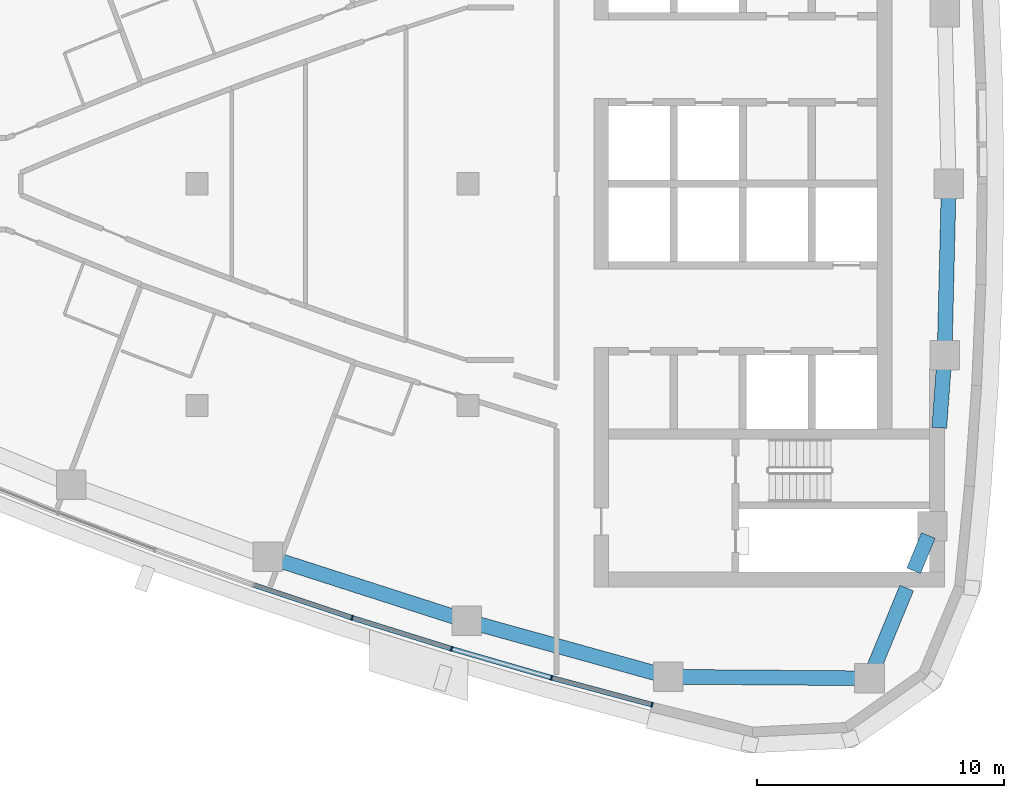
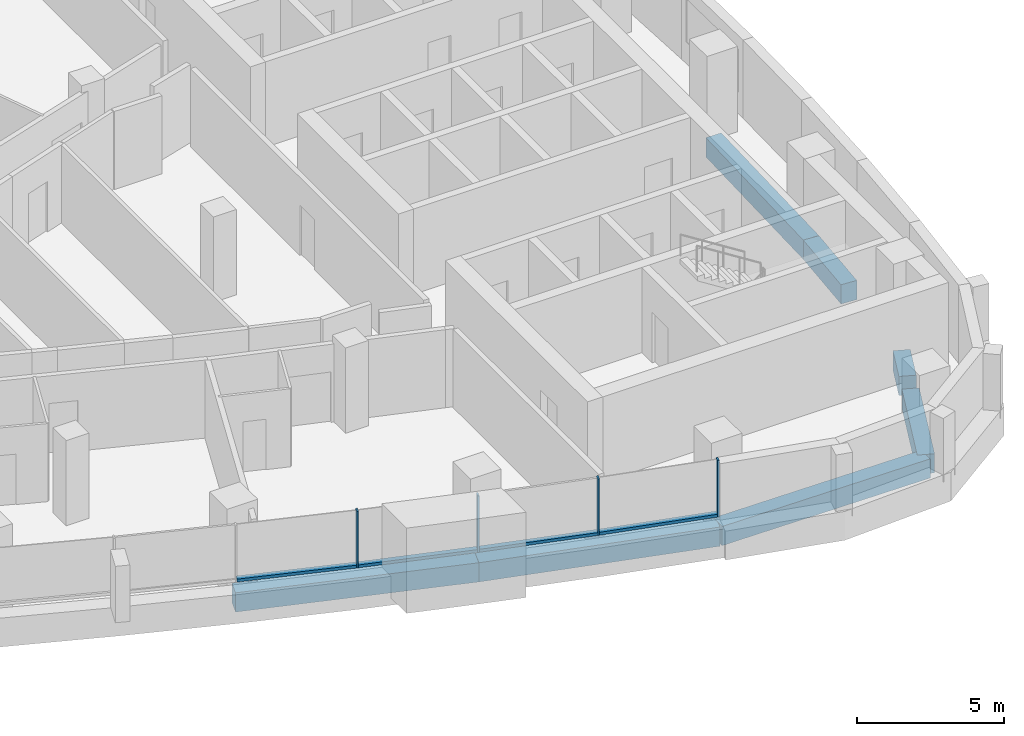
# One storey, part 4 of 15: 8 members, 7 beams, 2 elements without a shape of their own.
"""IFC4 building model written with IfcOpenShell, lengths in metres."""

from ifc_helpers import new_model, si_unit, direction, frame, origin, origin_2d, place, context, subcontext, project, spatial, rectangle, extrude, material, layer, layer_set, material_profile, profile_set, type_object, element, aggregate, save


model = new_model("IFC4")

# Units and contexts
model_context = context("Model", 3, precision=1e-05, world=origin(), true_north=direction((0.0, 1.0)))
body_context = subcontext(model_context, "Body", "Model", "MODEL_VIEW")
ifc_project = project(units=[si_unit("LENGTHUNIT", "METRE"), si_unit("AREAUNIT", "SQUARE_METRE"), si_unit("VOLUMEUNIT", "CUBIC_METRE"), si_unit("PLANEANGLEUNIT", "RADIAN"), si_unit("MASSUNIT", "GRAM", prefix="KILO")], contexts=[model_context])

# Site, building, storey
site_placement = place(None, origin())
site = spatial("IfcSite", under=ifc_project, at=site_placement, CompositionType="ELEMENT")
building_placement = place(site_placement, origin())
building = spatial("IfcBuilding", under=site, at=building_placement, Name="Ostrand Prow Hotel Tower", CompositionType="ELEMENT")
storey_placement = place(building_placement, frame((0.0, 0.0, 238.550048828125)))
storey = spatial("IfcBuildingStorey", under=building, at=storey_placement, Name="L60", CompositionType="ELEMENT", Elevation=238.550048828125)

# Beams
ifc_material_1 = material(Name="Concrete C50/60", Category="concrete")
ifc_material_profile_1 = material_profile(ifc_material_1, rectangle(XDim=0.60009765625, YDim=0.800048828125, at=origin_2d()), Name="RC 600x800")
ifc_profile_set_1 = profile_set([ifc_material_profile_1], Name="Concrete C50/60")
beam_type = type_object("IfcBeamType", Name="Edge beam 600x800 C50/60", PredefinedType="SPANDREL", material=ifc_profile_set_1)
for number, where, z_axis, x_axis, name in (
    (1, (36.8671875, -15.131591796875, -0.699951171875), (0.95193933362, -0.306286638798, 0.0), (0.306286638798, 0.95193933362, 0.0), "Edge beam S4-S5"),
    (2, (44.94677734375, -17.731201171875, -0.699951171875), (0.963625802813, -0.267255144297, 0.0), (0.267255144297, 0.963625802813, 0.0), "Edge beam S5-S6"),
):
    element("IfcBeam", number, at=place(storey_placement, frame(where, z_axis=z_axis, x_axis=x_axis)), inside=storey, type_object=beam_type, Name=name, PredefinedType="SPANDREL", context=body_context, shape_type="SweptSolid", body=[
        extrude(rectangle(XDim=0.60009765625, YDim=0.800048828125, at=origin_2d()), origin(), (0.0, 0.0, 1.0), 8.487548828125),
    ])
beam_1_placement = place(storey_placement, frame((53.12548828125, -19.99951171875, -0.699951171875), z_axis=(0.999970657582, -0.007660546678, 0.0), x_axis=(0.007660546678, 0.999970657582, 0.0)))
element("IfcBeam", 3, at=beam_1_placement, inside=storey, type_object=beam_type, Name="Edge beam S6-SE", PredefinedType="SPANDREL", context=body_context, shape_type="SweptSolid", body=[
    extrude(rectangle(XDim=0.60009765625, YDim=0.800048828125, at=origin_2d()), origin(), (0.0, 0.0, 1.0), 8.15869140625),
])
beam_2_placement = place(storey_placement, frame((61.283935546875, -20.06201171875, -0.699951171875), z_axis=(0.380777709221, 0.924666608114, 0.0), x_axis=(-0.924666608114, 0.380777709221, 0.0)))
element("IfcBeam", 4, at=beam_2_placement, inside=storey, type_object=beam_type, Name="Edge beam SE-B1", PredefinedType="SPANDREL", context=body_context, shape_type="SweptSolid", body=[
    extrude(rectangle(XDim=0.60009765625, YDim=0.800048828125, at=origin_2d()), origin(), (0.0, 0.0, 1.0), 3.96044921875),
])
beam_3_placement = place(storey_placement, frame((63.080078125, -15.699951171875, -0.699951171875), z_axis=(0.380773585759, 0.924668306145, 0.0), x_axis=(-0.924668306145, 0.380773585759, 0.0)))
element("IfcBeam", 5, at=beam_3_placement, inside=storey, type_object=beam_type, Name="Edge beam SE-B1", PredefinedType="SPANDREL", context=body_context, shape_type="SweptSolid", body=[
    extrude(rectangle(XDim=0.60009765625, YDim=0.800048828125, at=origin_2d()), origin(), (0.0, 0.0, 1.0), 1.549072265625),
])
beam_4_placement = place(storey_placement, frame((64.11669921875, -9.89990234375, -0.699951171875), z_axis=(0.072691068771, 0.997354504938, 0.0), x_axis=(-0.997354504938, 0.072691068771, 0.0)))
element("IfcBeam", 6, at=beam_4_placement, inside=storey, type_object=beam_type, Name="Edge beam B1-B2", PredefinedType="SPANDREL", context=body_context, shape_type="SweptSolid", body=[
    extrude(rectangle(XDim=0.60009765625, YDim=0.800048828125, at=origin_2d()), origin(), (0.0, 0.0, 1.0), 2.95556640625),
])
beam_5_placement = place(storey_placement, frame((64.33154296875, -6.9521484375, -0.699951171875), z_axis=(0.024223820991, 0.999706560195, 0.0), x_axis=(-0.999706560195, 0.024223820991, 0.0)))
element("IfcBeam", 7, at=beam_5_placement, inside=storey, type_object=beam_type, Name="Edge beam B2-B3", PredefinedType="SPANDREL", context=body_context, shape_type="SweptSolid", body=[
    extrude(rectangle(XDim=0.60009765625, YDim=0.800048828125, at=origin_2d()), origin(), (0.0, 0.0, 1.0), 6.9541015625),
])

# Curtain wall, members
ifc_material_2 = material(Name="Insulated glass in bronze anodised frame", Category="glass")
ifc_layer = layer(ifc_material_2, 0.199951171875)
ifc_layer_set = layer_set([ifc_layer], Name="Insulated glass in bronze anodised frame")
curtain_wall_type = type_object("IfcCurtainWallType", Name="Strip curtain wall, fritted glass over bronze spandrel", PredefinedType="NOTDEFINED", material=ifc_layer_set)
curtain_wall_1_placement = place(storey_placement, origin())
curtain_wall_1 = element("IfcCurtainWall", 8, at=curtain_wall_1_placement, inside=storey, type_object=curtain_wall_type, Name="CW1 run CWS4", PredefinedType="NOTDEFINED")
ifc_material_3 = material(Name="Bronze anodised aluminium", Category="aluminium")
ifc_material_profile_2 = material_profile(ifc_material_3, rectangle(XDim=0.199951171875, YDim=0.06005859375, at=origin_2d()), Name="Mullion 60x200 bronze anodised aluminium")
ifc_profile_set_2 = profile_set([ifc_material_profile_2], Name="Bronze anodised aluminium")
member_type_1 = type_object("IfcMemberType", Name="Mullion 60x200 bronze anodised aluminium", PredefinedType="MULLION", material=ifc_profile_set_2)
member_1_placement = place(storey_placement, frame((40.297119140625, -17.605712890625, 0.89990234375), z_axis=(0.0, 0.0, 1.0), x_axis=(0.297678138765, 0.95466629023, 0.0)))
member_1 = element("IfcMember", 9, at=member_1_placement, type_object=member_type_1, Name="CW1 mullion 2", PredefinedType="MULLION", context=body_context, shape_type="SweptSolid", body=[
    extrude(rectangle(XDim=0.199951171875, YDim=0.06005859375, at=origin_2d()), origin(), (0.0, 0.0, 1.0), 2.35009765625),
])
member_2_placement = place(storey_placement, frame((44.3291015625, -18.863037109375, 0.89990234375), z_axis=(0.0, 0.0, 1.0), x_axis=(0.297678138765, 0.95466629023, 0.0)))
member_2 = element("IfcMember", 10, at=member_2_placement, type_object=member_type_1, Name="CW1 mullion 3", PredefinedType="MULLION", context=body_context, shape_type="SweptSolid", body=[
    extrude(rectangle(XDim=0.199951171875, YDim=0.06005859375, at=origin_2d()), origin(), (0.0, 0.0, 1.0), 2.35009765625),
])

curtain_wall_2_placement = place(storey_placement, origin())
curtain_wall_2 = element("IfcCurtainWall", 11, at=curtain_wall_2_placement, inside=storey, type_object=curtain_wall_type, Name="CW1 run CWS5", PredefinedType="NOTDEFINED")
member_3_placement = place(storey_placement, frame((48.385986328125, -20.038818359375, 0.89990234375), z_axis=(0.0, 0.0, 1.0), x_axis=(0.258994370132, 0.965878831034, 0.0)))
member_3 = element("IfcMember", 12, at=member_3_placement, type_object=member_type_1, Name="CW1 mullion 2", PredefinedType="MULLION", context=body_context, shape_type="SweptSolid", body=[
    extrude(rectangle(XDim=0.199951171875, YDim=0.06005859375, at=origin_2d()), origin(), (0.0, 0.0, 1.0), 2.35009765625),
])
member_4_placement = place(storey_placement, frame((52.465576171875, -21.1328125, 0.89990234375), z_axis=(0.0, 0.0, 1.0), x_axis=(0.258994370132, 0.965878831034, 0.0)))
member_4 = element("IfcMember", 13, at=member_4_placement, type_object=member_type_1, Name="CW1 mullion 3", PredefinedType="MULLION", context=body_context, shape_type="SweptSolid", body=[
    extrude(rectangle(XDim=0.199951171875, YDim=0.06005859375, at=origin_2d()), origin(), (0.0, 0.0, 1.0), 2.35009765625),
])

# Member
ifc_material_4 = material(Name="Bronze anodised aluminium", Category="aluminium")
ifc_material_profile_3 = material_profile(ifc_material_4, rectangle(XDim=0.199951171875, YDim=0.1201171875, at=origin_2d()), Name="Transom 120x200 bronze anodised aluminium")
ifc_profile_set_3 = profile_set([ifc_material_profile_3], Name="Bronze anodised aluminium")
member_type_2 = type_object("IfcMemberType", Name="Transom 120x200 bronze anodised aluminium", PredefinedType="USERDEFINED", material=ifc_profile_set_3)
member_5_placement = place(storey_placement, frame((36.3193359375, -16.277099609375, 0.9599609375), z_axis=(0.948489622939, -0.316808199353, 0.0), x_axis=(0.316808199353, 0.948489622939, 0.0)))
member_5 = element("IfcMember", 14, at=member_5_placement, type_object=member_type_2, Name="CW1 transom 1.1", ObjectType="TRANSOM", PredefinedType="USERDEFINED", context=body_context, shape_type="SweptSolid", body=[
    extrude(rectangle(XDim=0.199951171875, YDim=0.1201171875, at=origin_2d()), origin(), (0.0, 0.0, 1.0), 4.16357421875),
])

member_6_placement = place(storey_placement, frame((40.32568359375, -17.61474609375, 0.9599609375), z_axis=(0.954676966691, -0.297643896746, 0.0), x_axis=(0.297643896746, 0.954676966691, 0.0)))
member_6 = element("IfcMember", 15, at=member_6_placement, type_object=member_type_2, Name="CW1 transom 2.1", ObjectType="TRANSOM", PredefinedType="USERDEFINED", context=body_context, shape_type="SweptSolid", body=[
    extrude(rectangle(XDim=0.199951171875, YDim=0.1201171875, at=origin_2d()), origin(), (0.0, 0.0, 1.0), 4.16357421875),
])

aggregate(curtain_wall_1, [member_1, member_2, member_5, member_6])

member_7_placement = place(storey_placement, frame((44.35791015625, -18.871337890625, 0.9599609375), z_axis=(0.960468183791, -0.278389776976, 0.0), x_axis=(0.278389776976, 0.960468183791, 0.0)))
member_7 = element("IfcMember", 16, at=member_7_placement, type_object=member_type_2, Name="CW1 transom 1.1", ObjectType="TRANSOM", PredefinedType="USERDEFINED", context=body_context, shape_type="SweptSolid", body=[
    extrude(rectangle(XDim=0.199951171875, YDim=0.1201171875, at=origin_2d()), origin(), (0.0, 0.0, 1.0), 4.163818359375),
])

member_8_placement = place(storey_placement, frame((48.4150390625, -20.046630859375, 0.9599609375), z_axis=(0.96587683346, -0.259001819657, 0.0), x_axis=(0.259001819657, 0.96587683346, 0.0)))
member_8 = element("IfcMember", 17, at=member_8_placement, type_object=member_type_2, Name="CW1 transom 2.1", ObjectType="TRANSOM", PredefinedType="USERDEFINED", context=body_context, shape_type="SweptSolid", body=[
    extrude(rectangle(XDim=0.199951171875, YDim=0.1201171875, at=origin_2d()), origin(), (0.0, 0.0, 1.0), 4.16357421875),
])

aggregate(curtain_wall_2, [member_3, member_4, member_7, member_8])

save(model, "model.ifc")
